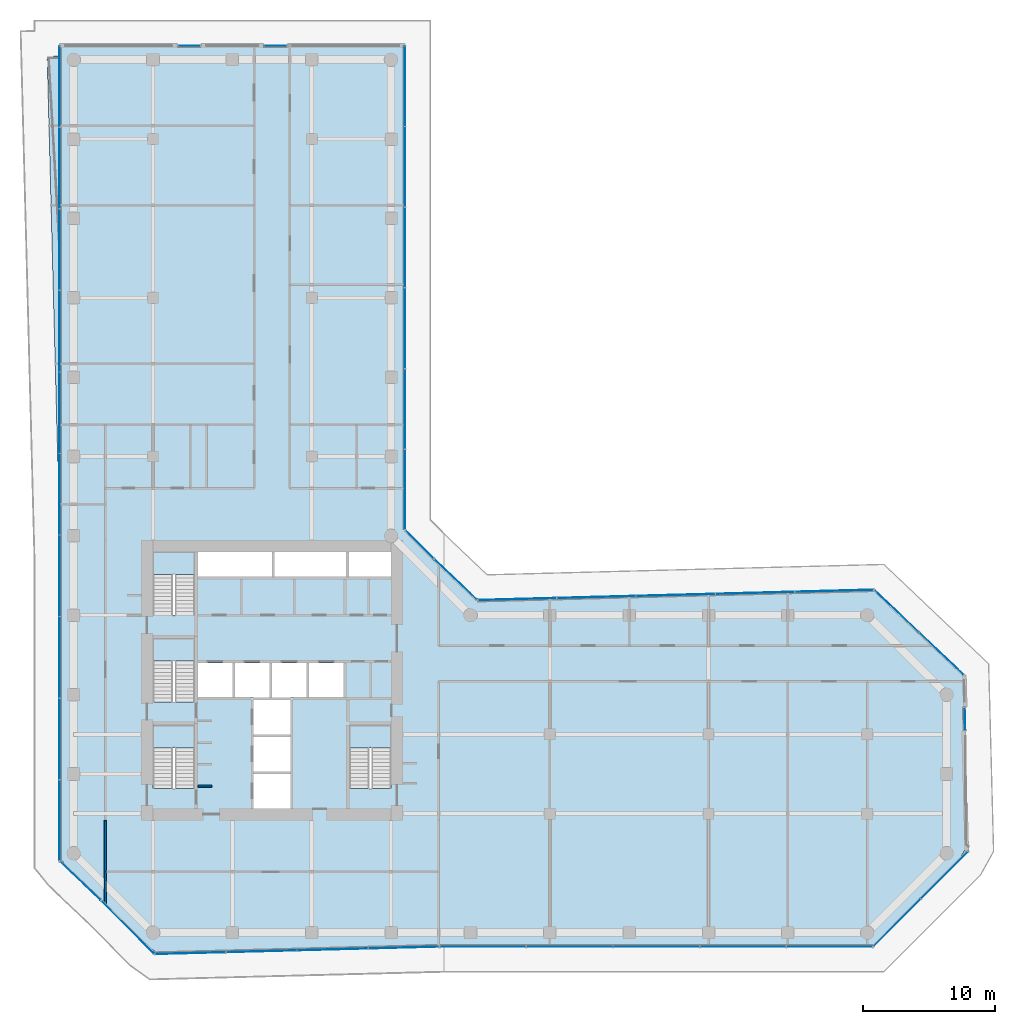
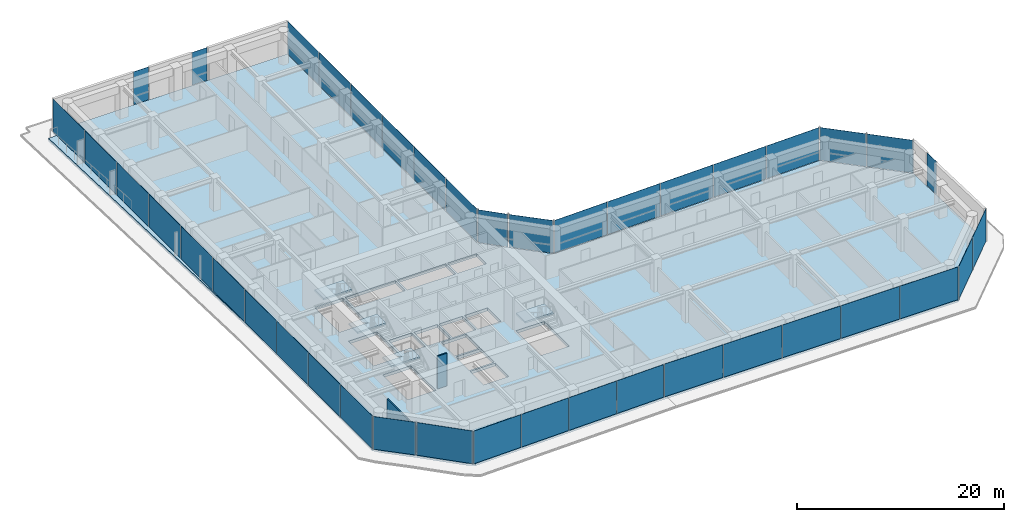
# One storey, part 22 of 29: 41 plates, 5 slabs, 3 walls, 18 elements without a shape of their own.
"""IFC4 building model written with IfcOpenShell, lengths in metres."""

from ifc_helpers import new_model, si_unit, direction, frame, frame_2d, origin, origin_2d, place, context, subcontext, project, spatial, polyline, rectangle, outline, extrude, material, layer, layer_set, type_object, element, aggregate, save


model = new_model("IFC4")

# Units and contexts
model_context = context("Model", 3, precision=1e-05, world=origin(), true_north=direction((0.0, 1.0)))
body_context = subcontext(model_context, "Body", "Model", "MODEL_VIEW")
ifc_project = project(units=[si_unit("LENGTHUNIT", "METRE"), si_unit("AREAUNIT", "SQUARE_METRE"), si_unit("VOLUMEUNIT", "CUBIC_METRE"), si_unit("PLANEANGLEUNIT", "RADIAN"), si_unit("MASSUNIT", "GRAM", prefix="KILO")], contexts=[model_context])

# Site, building, storey
site_placement = place(None, origin())
site = spatial("IfcSite", under=ifc_project, at=site_placement, CompositionType="ELEMENT")
building_placement = place(site_placement, origin())
building = spatial("IfcBuilding", under=site, at=building_placement, Name="Welwitschia Terrace Campus", CompositionType="ELEMENT")
storey_placement = place(building_placement, frame((0.0, 0.0, 58.39990234375)))
storey = spatial("IfcBuildingStorey", under=building, at=storey_placement, Name="L13", CompositionType="ELEMENT", Elevation=58.39990234375)

# Curtain wall, plate
ifc_material_1 = material(Name="Bronze anodised aluminium", Category="aluminium")
ifc_layer_1 = layer(ifc_material_1, 0.1201171875)
ifc_layer_set_1 = layer_set([ifc_layer_1], Name="Bronze anodised aluminium")
curtain_wall_type = type_object("IfcCurtainWallType", Name="Curtain wall CW2 tower 6000", PredefinedType="NOTDEFINED", material=ifc_layer_set_1)
curtain_wall_1_placement = place(storey_placement, origin())
curtain_wall_1 = element("IfcCurtainWall", 1, at=curtain_wall_1_placement, inside=storey, type_object=curtain_wall_type, Name="CW L13.0.0", PredefinedType="NOTDEFINED")
ifc_material_2 = material(Name="Tinted bronze-grey glass", Category="glass")
ifc_layer_2 = layer(ifc_material_2, 0.028076171875)
ifc_layer_set_2 = layer_set([ifc_layer_2], Name="Tinted bronze-grey glass")
plate_type = type_object("IfcPlateType", Name="Glass panel 28 tinted", PredefinedType="CURTAIN_PANEL", material=ifc_layer_set_2)
plate_1_placement = place(storey_placement, frame((0.509765625, -0.086181640625, 0.0), z_axis=(0.0, 0.0, 1.0), x_axis=(0.725374371012, -0.688354575694, 0.0)))
plate_1 = element("IfcPlate", 2, at=plate_1_placement, type_object=plate_type, Name="Panel L13.0.0.0", PredefinedType="CURTAIN_PANEL", context=body_context, shape_type="SweptSolid", body=[
    extrude(rectangle(XDim=4.202880859375, YDim=0.028076171875, at=origin_2d()), origin(), (0.0, 0.0, 1.0), 3.85009765625),
])
aggregate(curtain_wall_1, [plate_1])

curtain_wall_2_placement = place(storey_placement, origin())
curtain_wall_2 = element("IfcCurtainWall", 3, at=curtain_wall_2_placement, inside=storey, type_object=curtain_wall_type, Name="CW L13.1.0", PredefinedType="NOTDEFINED")
plate_2_placement = place(storey_placement, frame((4.1015625, -3.597900390625, 0.0), z_axis=(0.0, 0.0, 1.0), x_axis=(0.707106781187, -0.707106781187, 0.0)))
plate_2 = element("IfcPlate", 4, at=plate_2_placement, type_object=plate_type, Name="Panel L13.1.0.0", PredefinedType="CURTAIN_PANEL", context=body_context, shape_type="SweptSolid", body=[
    extrude(rectangle(XDim=5.6044921875, YDim=0.028076171875, at=origin_2d()), origin(), (0.0, 0.0, 1.0), 3.85009765625),
])
aggregate(curtain_wall_2, [plate_2])

# Curtain wall, plates
curtain_wall_3_placement = place(storey_placement, origin())
curtain_wall_3 = element("IfcCurtainWall", 5, at=curtain_wall_3_placement, inside=storey, type_object=curtain_wall_type, Name="CW L13.2.0", PredefinedType="NOTDEFINED")
plate_3_placement = place(storey_placement, frame((8.831298828125, -5.55078125, 0.0), z_axis=(0.0, 0.0, 1.0), x_axis=(0.999657324976, 0.026176948308, 0.0)))
plate_3 = element("IfcPlate", 6, at=plate_3_placement, type_object=plate_type, Name="Panel L13.2.0.0", PredefinedType="CURTAIN_PANEL", context=body_context, shape_type="SweptSolid", body=[
    extrude(rectangle(XDim=5.293701171875, YDim=0.028076171875, at=origin_2d()), origin(), (0.0, 0.0, 1.0), 3.85009765625),
])
plate_4_placement = place(storey_placement, frame((14.1982421875, -5.410400390625, 0.0), z_axis=(0.0, 0.0, 1.0), x_axis=(0.999657324976, 0.026176948308, 0.0)))
plate_4 = element("IfcPlate", 7, at=plate_4_placement, type_object=plate_type, Name="Panel L13.2.0.1", PredefinedType="CURTAIN_PANEL", context=body_context, shape_type="SweptSolid", body=[
    extrude(rectangle(XDim=5.32373046875, YDim=0.028076171875, at=origin_2d()), origin(), (0.0, 0.0, 1.0), 3.85009765625),
])
plate_5_placement = place(storey_placement, frame((19.579833984375, -5.269287109375, 0.0), z_axis=(0.0, 0.0, 1.0), x_axis=(0.999657324976, 0.026176948308, 0.0)))
plate_5 = element("IfcPlate", 8, at=plate_5_placement, type_object=plate_type, Name="Panel L13.2.0.2", PredefinedType="CURTAIN_PANEL", context=body_context, shape_type="SweptSolid", body=[
    extrude(rectangle(XDim=5.32373046875, YDim=0.028076171875, at=origin_2d()), origin(), (0.0, 0.0, 1.0), 3.85009765625),
])
plate_6_placement = place(storey_placement, frame((24.94677734375, -5.12890625, 0.0), z_axis=(0.0, 0.0, 1.0), x_axis=(0.999657324976, 0.026176948308, 0.0)))
plate_6 = element("IfcPlate", 9, at=plate_6_placement, type_object=plate_type, Name="Panel L13.2.0.3", PredefinedType="CURTAIN_PANEL", context=body_context, shape_type="SweptSolid", body=[
    extrude(rectangle(XDim=5.293701171875, YDim=0.028076171875, at=origin_2d()), origin(), (0.0, 0.0, 1.0), 3.85009765625),
])
aggregate(curtain_wall_3, [plate_3, plate_4, plate_5, plate_6])

curtain_wall_4_placement = place(storey_placement, origin())
curtain_wall_4 = element("IfcCurtainWall", 10, at=curtain_wall_4_placement, inside=storey, type_object=curtain_wall_type, Name="CW L13.3.0", PredefinedType="NOTDEFINED")
plate_7_placement = place(storey_placement, frame((30.9462890625, -5.05810546875, 0.0), z_axis=(0.0, 0.0, 1.0), x_axis=(1.0, 0.0, 0.0)))
plate_7 = element("IfcPlate", 11, at=plate_7_placement, type_object=plate_type, Name="Panel L13.3.0.0", PredefinedType="CURTAIN_PANEL", context=body_context, shape_type="SweptSolid", body=[
    extrude(rectangle(XDim=6.467041015625, YDim=0.028076171875, at=origin_2d()), origin(), (0.0, 0.0, 1.0), 3.85009765625),
])
plate_8_placement = place(storey_placement, frame((37.48828125, -5.05810546875, 0.0), z_axis=(0.0, 0.0, 1.0), x_axis=(1.0, 0.0, 0.0)))
plate_8 = element("IfcPlate", 12, at=plate_8_placement, type_object=plate_type, Name="Panel L13.3.0.1", PredefinedType="CURTAIN_PANEL", context=body_context, shape_type="SweptSolid", body=[
    extrude(rectangle(XDim=6.4970703125, YDim=0.028076171875, at=origin_2d()), origin(), (0.0, 0.0, 1.0), 3.85009765625),
])
plate_9_placement = place(storey_placement, frame((44.04541015625, -5.05810546875, 0.0), z_axis=(0.0, 0.0, 1.0), x_axis=(1.0, 0.0, 0.0)))
plate_9 = element("IfcPlate", 13, at=plate_9_placement, type_object=plate_type, Name="Panel L13.3.0.2", PredefinedType="CURTAIN_PANEL", context=body_context, shape_type="SweptSolid", body=[
    extrude(rectangle(XDim=6.4970703125, YDim=0.028076171875, at=origin_2d()), origin(), (0.0, 0.0, 1.0), 3.85009765625),
])
plate_10_placement = place(storey_placement, frame((50.6025390625, -5.05810546875, 0.0), z_axis=(0.0, 0.0, 1.0), x_axis=(1.0, 0.0, 0.0)))
plate_10 = element("IfcPlate", 14, at=plate_10_placement, type_object=plate_type, Name="Panel L13.3.0.3", PredefinedType="CURTAIN_PANEL", context=body_context, shape_type="SweptSolid", body=[
    extrude(rectangle(XDim=6.4970703125, YDim=0.028076171875, at=origin_2d()), origin(), (0.0, 0.0, 1.0), 3.85009765625),
])
plate_11_placement = place(storey_placement, frame((57.144775390625, -5.05810546875, 0.0), z_axis=(0.0, 0.0, 1.0), x_axis=(1.0, 0.0, 0.0)))
plate_11 = element("IfcPlate", 15, at=plate_11_placement, type_object=plate_type, Name="Panel L13.3.0.4", PredefinedType="CURTAIN_PANEL", context=body_context, shape_type="SweptSolid", body=[
    extrude(rectangle(XDim=6.467041015625, YDim=0.028076171875, at=origin_2d()), origin(), (0.0, 0.0, 1.0), 3.85009765625),
])
aggregate(curtain_wall_4, [plate_7, plate_8, plate_9, plate_10, plate_11])

curtain_wall_5_placement = place(storey_placement, origin())
curtain_wall_5 = element("IfcCurtainWall", 16, at=curtain_wall_5_placement, inside=storey, type_object=curtain_wall_type, Name="CW L13.4.0", PredefinedType="NOTDEFINED")
plate_12_placement = place(storey_placement, frame((62.251953125, -3.244140625, 0.0), z_axis=(0.0, 0.0, 1.0), x_axis=(0.707106781187, 0.707106781187, 0.0)))
plate_12 = element("IfcPlate", 17, at=plate_12_placement, type_object=plate_type, Name="Panel L13.4.0.0", PredefinedType="CURTAIN_PANEL", context=body_context, shape_type="SweptSolid", body=[
    extrude(rectangle(XDim=5.01025390625, YDim=0.028076171875, at=origin_2d()), origin(), (0.0, 0.0, 1.0), 3.85009765625),
])
plate_13_placement = place(storey_placement, frame((65.83740234375, 0.341064453125, 0.0), z_axis=(0.0, 0.0, 1.0), x_axis=(0.707106781187, 0.707106781187, 0.0)))
plate_13 = element("IfcPlate", 18, at=plate_13_placement, type_object=plate_type, Name="Panel L13.4.0.1", PredefinedType="CURTAIN_PANEL", context=body_context, shape_type="SweptSolid", body=[
    extrude(rectangle(XDim=5.01025390625, YDim=0.028076171875, at=origin_2d()), origin(), (0.0, 0.0, 1.0), 3.85009765625),
])
aggregate(curtain_wall_5, [plate_12, plate_13])

# Curtain wall, plate
curtain_wall_6_placement = place(storey_placement, origin())
curtain_wall_6 = element("IfcCurtainWall", 19, at=curtain_wall_6_placement, inside=storey, type_object=curtain_wall_type, Name="CW L13.5.S0", PredefinedType="NOTDEFINED")
plate_14_placement = place(storey_placement, frame((67.389404296875, 12.151123046875, 0.0), z_axis=(0.0, 0.0, 1.0), x_axis=(-0.026176948308, 0.999657324976, 0.0)))
plate_14 = element("IfcPlate", 20, at=plate_14_placement, type_object=plate_type, Name="Panel L13.5.S0.0", PredefinedType="CURTAIN_PANEL", context=body_context, shape_type="SweptSolid", body=[
    extrude(rectangle(XDim=1.679931640625, YDim=0.028076171875, at=origin_2d()), origin(), (0.0, 0.0, 1.0), 3.85009765625),
])
aggregate(curtain_wall_6, [plate_14])

# Curtain wall, plates
curtain_wall_7_placement = place(storey_placement, origin())
curtain_wall_7 = element("IfcCurtainWall", 21, at=curtain_wall_7_placement, inside=storey, type_object=curtain_wall_type, Name="CW L13.6.0", PredefinedType="NOTDEFINED")
plate_15_placement = place(storey_placement, frame((65.593505859375, 17.1044921875, 0.0), z_axis=(0.0, 0.0, 1.0), x_axis=(-0.725374371012, 0.688354575694, 0.0)))
plate_15 = element("IfcPlate", 22, at=plate_15_placement, type_object=plate_type, Name="Panel L13.6.0.0", PredefinedType="CURTAIN_PANEL", context=body_context, shape_type="SweptSolid", body=[
    extrude(rectangle(XDim=4.5908203125, YDim=0.028076171875, at=origin_2d()), origin(), (0.0, 0.0, 1.0), 3.85009765625),
])
plate_16_placement = place(storey_placement, frame((62.219970703125, 20.305908203125, 0.0), z_axis=(0.0, 0.0, 1.0), x_axis=(-0.725374371012, 0.688354575694, 0.0)))
plate_16 = element("IfcPlate", 23, at=plate_16_placement, type_object=plate_type, Name="Panel L13.6.0.1", PredefinedType="CURTAIN_PANEL", context=body_context, shape_type="SweptSolid", body=[
    extrude(rectangle(XDim=4.5908203125, YDim=0.028076171875, at=origin_2d()), origin(), (0.0, 0.0, 1.0), 3.85009765625),
])
aggregate(curtain_wall_7, [plate_15, plate_16])

curtain_wall_8_placement = place(storey_placement, origin())
curtain_wall_8 = element("IfcCurtainWall", 24, at=curtain_wall_8_placement, inside=storey, type_object=curtain_wall_type, Name="CW L13.7.0", PredefinedType="NOTDEFINED")
plate_17_placement = place(storey_placement, frame((57.497314453125, 21.848388671875, 0.0), z_axis=(0.0, 0.0, 1.0), x_axis=(-0.999657324976, -0.026176948308, 0.0)))
plate_17 = element("IfcPlate", 25, at=plate_17_placement, type_object=plate_type, Name="Panel L13.7.0.0", PredefinedType="CURTAIN_PANEL", context=body_context, shape_type="SweptSolid", body=[
    extrude(rectangle(XDim=5.909912109375, YDim=0.028076171875, at=origin_2d()), origin(), (0.0, 0.0, 1.0), 3.85009765625),
])
plate_18_placement = place(storey_placement, frame((51.514404296875, 21.69189453125, 0.0), z_axis=(0.0, 0.0, 1.0), x_axis=(-0.999657324976, -0.026176948308, 0.0)))
plate_18 = element("IfcPlate", 26, at=plate_18_placement, type_object=plate_type, Name="Panel L13.7.0.1", PredefinedType="CURTAIN_PANEL", context=body_context, shape_type="SweptSolid", body=[
    extrude(rectangle(XDim=5.93994140625, YDim=0.028076171875, at=origin_2d()), origin(), (0.0, 0.0, 1.0), 3.85009765625),
])
plate_19_placement = place(storey_placement, frame((45.5166015625, 21.53466796875, 0.0), z_axis=(0.0, 0.0, 1.0), x_axis=(-0.999657324976, -0.026176948308, 0.0)))
plate_19 = element("IfcPlate", 27, at=plate_19_placement, type_object=plate_type, Name="Panel L13.7.0.2", PredefinedType="CURTAIN_PANEL", context=body_context, shape_type="SweptSolid", body=[
    extrude(rectangle(XDim=5.93994140625, YDim=0.028076171875, at=origin_2d()), origin(), (0.0, 0.0, 1.0), 3.85009765625),
])
plate_20_placement = place(storey_placement, frame((39.5185546875, 21.377685546875, 0.0), z_axis=(0.0, 0.0, 1.0), x_axis=(-0.999657324976, -0.026176948308, 0.0)))
plate_20 = element("IfcPlate", 28, at=plate_20_placement, type_object=plate_type, Name="Panel L13.7.0.3", PredefinedType="CURTAIN_PANEL", context=body_context, shape_type="SweptSolid", body=[
    extrude(rectangle(XDim=5.93994140625, YDim=0.028076171875, at=origin_2d()), origin(), (0.0, 0.0, 1.0), 3.85009765625),
])
plate_21_placement = place(storey_placement, frame((33.53564453125, 21.220947265625, 0.0), z_axis=(0.0, 0.0, 1.0), x_axis=(-0.999657324976, -0.026176948308, 0.0)))
plate_21 = element("IfcPlate", 29, at=plate_21_placement, type_object=plate_type, Name="Panel L13.7.0.4", PredefinedType="CURTAIN_PANEL", context=body_context, shape_type="SweptSolid", body=[
    extrude(rectangle(XDim=5.909912109375, YDim=0.028076171875, at=origin_2d()), origin(), (0.0, 0.0, 1.0), 3.85009765625),
])
aggregate(curtain_wall_8, [plate_17, plate_18, plate_19, plate_20, plate_21])

# Curtain wall, plate
curtain_wall_9_placement = place(storey_placement, origin())
curtain_wall_9 = element("IfcCurtainWall", 30, at=curtain_wall_9_placement, inside=storey, type_object=curtain_wall_type, Name="CW L13.8.0", PredefinedType="NOTDEFINED")
plate_22_placement = place(storey_placement, frame((28.880859375, 22.698974609375, 0.0), z_axis=(0.0, 0.0, 1.0), x_axis=(-0.725374371012, 0.688354575694, 0.0)))
plate_22 = element("IfcPlate", 31, at=plate_22_placement, type_object=plate_type, Name="Panel L13.8.0.0", PredefinedType="CURTAIN_PANEL", context=body_context, shape_type="SweptSolid", body=[
    extrude(rectangle(XDim=4.40380859375, YDim=0.028076171875, at=origin_2d()), origin(), (0.0, 0.0, 1.0), 3.85009765625),
])
aggregate(curtain_wall_9, [plate_22])

curtain_wall_10_placement = place(storey_placement, origin())
curtain_wall_10 = element("IfcCurtainWall", 32, at=curtain_wall_10_placement, inside=storey, type_object=curtain_wall_type, Name="CW L13.9.0", PredefinedType="NOTDEFINED")
plate_23_placement = place(storey_placement, frame((26.149169921875, 25.34716796875, 0.0), z_axis=(0.0, 0.0, 1.0), x_axis=(-0.707106781187, 0.707106781187, 0.0)))
plate_23 = element("IfcPlate", 33, at=plate_23_placement, type_object=plate_type, Name="Panel L13.9.0.0", PredefinedType="CURTAIN_PANEL", context=body_context, shape_type="SweptSolid", body=[
    extrude(rectangle(XDim=2.966064453125, YDim=0.028076171875, at=origin_2d()), origin(), (0.0, 0.0, 1.0), 3.85009765625),
])
aggregate(curtain_wall_10, [plate_23])

# Curtain wall, plates
curtain_wall_11_placement = place(storey_placement, origin())
curtain_wall_11 = element("IfcCurtainWall", 34, at=curtain_wall_11_placement, inside=storey, type_object=curtain_wall_type, Name="CW L13.10.0", PredefinedType="NOTDEFINED")
plate_24_placement = place(storey_placement, frame((25.05810546875, 29.5048828125, 0.0), z_axis=(0.0, 0.0, 1.0), x_axis=(0.0, 1.0, 0.0)))
plate_24 = element("IfcPlate", 35, at=plate_24_placement, type_object=plate_type, Name="Panel L13.10.0.0", PredefinedType="CURTAIN_PANEL", context=body_context, shape_type="SweptSolid", body=[
    extrude(rectangle(XDim=6.01318359375, YDim=0.028076171875, at=origin_2d()), origin(), (0.0, 0.0, 1.0), 3.85009765625),
])
plate_25_placement = place(storey_placement, frame((25.05810546875, 35.59326171875, 0.0), z_axis=(0.0, 0.0, 1.0), x_axis=(0.0, 1.0, 0.0)))
plate_25 = element("IfcPlate", 36, at=plate_25_placement, type_object=plate_type, Name="Panel L13.10.0.1", PredefinedType="CURTAIN_PANEL", context=body_context, shape_type="SweptSolid", body=[
    extrude(rectangle(XDim=6.043212890625, YDim=0.028076171875, at=origin_2d()), origin(), (0.0, 0.0, 1.0), 3.85009765625),
])
plate_26_placement = place(storey_placement, frame((25.05810546875, 41.696533203125, 0.0), z_axis=(0.0, 0.0, 1.0), x_axis=(0.0, 1.0, 0.0)))
plate_26 = element("IfcPlate", 37, at=plate_26_placement, type_object=plate_type, Name="Panel L13.10.0.2", PredefinedType="CURTAIN_PANEL", context=body_context, shape_type="SweptSolid", body=[
    extrude(rectangle(XDim=6.043212890625, YDim=0.028076171875, at=origin_2d()), origin(), (0.0, 0.0, 1.0), 3.85009765625),
])
plate_27_placement = place(storey_placement, frame((25.05810546875, 47.7998046875, 0.0), z_axis=(0.0, 0.0, 1.0), x_axis=(0.0, 1.0, 0.0)))
plate_27 = element("IfcPlate", 38, at=plate_27_placement, type_object=plate_type, Name="Panel L13.10.0.3", PredefinedType="CURTAIN_PANEL", context=body_context, shape_type="SweptSolid", body=[
    extrude(rectangle(XDim=6.043212890625, YDim=0.028076171875, at=origin_2d()), origin(), (0.0, 0.0, 1.0), 3.85009765625),
])
plate_28_placement = place(storey_placement, frame((25.05810546875, 53.903076171875, 0.0), z_axis=(0.0, 0.0, 1.0), x_axis=(0.0, 1.0, 0.0)))
plate_28 = element("IfcPlate", 39, at=plate_28_placement, type_object=plate_type, Name="Panel L13.10.0.4", PredefinedType="CURTAIN_PANEL", context=body_context, shape_type="SweptSolid", body=[
    extrude(rectangle(XDim=6.043212890625, YDim=0.028076171875, at=origin_2d()), origin(), (0.0, 0.0, 1.0), 3.85009765625),
])
plate_29_placement = place(storey_placement, frame((25.05810546875, 59.991455078125, 0.0), z_axis=(0.0, 0.0, 1.0), x_axis=(0.0, 1.0, 0.0)))
plate_29 = element("IfcPlate", 40, at=plate_29_placement, type_object=plate_type, Name="Panel L13.10.0.5", PredefinedType="CURTAIN_PANEL", context=body_context, shape_type="SweptSolid", body=[
    extrude(rectangle(XDim=6.01318359375, YDim=0.028076171875, at=origin_2d()), origin(), (0.0, 0.0, 1.0), 3.85009765625),
])
aggregate(curtain_wall_11, [plate_24, plate_25, plate_26, plate_27, plate_28, plate_29])

# Curtain wall, plate
curtain_wall_12_placement = place(storey_placement, origin())
curtain_wall_12 = element("IfcCurtainWall", 41, at=curtain_wall_12_placement, inside=storey, type_object=curtain_wall_type, Name="CW L13.11.S0", PredefinedType="NOTDEFINED")
plate_30_placement = place(storey_placement, frame((15.264404296875, 63.05810546875, 0.0), z_axis=(0.0, 0.0, 1.0), x_axis=(-1.0, 0.0, 0.0)))
plate_30 = element("IfcPlate", 42, at=plate_30_placement, type_object=plate_type, Name="Panel L13.11.S0.0", PredefinedType="CURTAIN_PANEL", context=body_context, shape_type="SweptSolid", body=[
    extrude(rectangle(XDim=1.679931640625, YDim=0.028076171875, at=origin_2d()), origin(), (0.0, 0.0, 1.0), 3.85009765625),
])
aggregate(curtain_wall_12, [plate_30])

curtain_wall_13_placement = place(storey_placement, origin())
curtain_wall_13 = element("IfcCurtainWall", 43, at=curtain_wall_13_placement, inside=storey, type_object=curtain_wall_type, Name="CW L13.11.S1", PredefinedType="NOTDEFINED")
plate_31_placement = place(storey_placement, frame((8.735595703125, 63.05810546875, 0.0), z_axis=(0.0, 0.0, 1.0), x_axis=(-1.0, 0.0, 0.0)))
plate_31 = element("IfcPlate", 44, at=plate_31_placement, type_object=plate_type, Name="Panel L13.11.S1.0", PredefinedType="CURTAIN_PANEL", context=body_context, shape_type="SweptSolid", body=[
    extrude(rectangle(XDim=1.679931640625, YDim=0.028076171875, at=origin_2d()), origin(), (0.0, 0.0, 1.0), 3.85009765625),
])
aggregate(curtain_wall_13, [plate_31])

# Curtain wall, plates
curtain_wall_14_placement = place(storey_placement, origin())
curtain_wall_14 = element("IfcCurtainWall", 45, at=curtain_wall_14_placement, inside=storey, type_object=curtain_wall_type, Name="CW L13.12.0", PredefinedType="NOTDEFINED")
plate_32_placement = place(storey_placement, frame((-1.05810546875, 59.960205078125, 0.0), z_axis=(0.0, 0.0, 1.0), x_axis=(0.0, -1.0, 0.0)))
plate_32 = element("IfcPlate", 46, at=plate_32_placement, type_object=plate_type, Name="Panel L13.12.0.0", PredefinedType="CURTAIN_PANEL", context=body_context, shape_type="SweptSolid", body=[
    extrude(rectangle(XDim=6.07568359375, YDim=0.028076171875, at=origin_2d()), origin(), (0.0, 0.0, 1.0), 3.85009765625),
])
plate_33_placement = place(storey_placement, frame((-1.05810546875, 53.8095703125, 0.0), z_axis=(0.0, 0.0, 1.0), x_axis=(0.0, -1.0, 0.0)))
plate_33 = element("IfcPlate", 47, at=plate_33_placement, type_object=plate_type, Name="Panel L13.12.0.1", PredefinedType="CURTAIN_PANEL", context=body_context, shape_type="SweptSolid", body=[
    extrude(rectangle(XDim=6.105712890625, YDim=0.028076171875, at=origin_2d()), origin(), (0.0, 0.0, 1.0), 3.85009765625),
])
plate_34_placement = place(storey_placement, frame((-1.05810546875, 47.64404296875, 0.0), z_axis=(0.0, 0.0, 1.0), x_axis=(0.0, -1.0, 0.0)))
plate_34 = element("IfcPlate", 48, at=plate_34_placement, type_object=plate_type, Name="Panel L13.12.0.2", PredefinedType="CURTAIN_PANEL", context=body_context, shape_type="SweptSolid", body=[
    extrude(rectangle(XDim=6.105712890625, YDim=0.028076171875, at=origin_2d()), origin(), (0.0, 0.0, 1.0), 3.85009765625),
])
plate_35_placement = place(storey_placement, frame((-1.05810546875, 41.478271484375, 0.0), z_axis=(0.0, 0.0, 1.0), x_axis=(0.0, -1.0, 0.0)))
plate_35 = element("IfcPlate", 49, at=plate_35_placement, type_object=plate_type, Name="Panel L13.12.0.3", PredefinedType="CURTAIN_PANEL", context=body_context, shape_type="SweptSolid", body=[
    extrude(rectangle(XDim=6.105712890625, YDim=0.028076171875, at=origin_2d()), origin(), (0.0, 0.0, 1.0), 3.85009765625),
])
plate_36_placement = place(storey_placement, frame((-1.05810546875, 35.312744140625, 0.0), z_axis=(0.0, 0.0, 1.0), x_axis=(0.0, -1.0, 0.0)))
plate_36 = element("IfcPlate", 50, at=plate_36_placement, type_object=plate_type, Name="Panel L13.12.0.4", PredefinedType="CURTAIN_PANEL", context=body_context, shape_type="SweptSolid", body=[
    extrude(rectangle(XDim=6.105712890625, YDim=0.028076171875, at=origin_2d()), origin(), (0.0, 0.0, 1.0), 3.85009765625),
])
plate_37_placement = place(storey_placement, frame((-1.05810546875, 29.14697265625, 0.0), z_axis=(0.0, 0.0, 1.0), x_axis=(0.0, -1.0, 0.0)))
plate_37 = element("IfcPlate", 51, at=plate_37_placement, type_object=plate_type, Name="Panel L13.12.0.5", PredefinedType="CURTAIN_PANEL", context=body_context, shape_type="SweptSolid", body=[
    extrude(rectangle(XDim=6.105712890625, YDim=0.028076171875, at=origin_2d()), origin(), (0.0, 0.0, 1.0), 3.85009765625),
])
plate_38_placement = place(storey_placement, frame((-1.05810546875, 22.9814453125, 0.0), z_axis=(0.0, 0.0, 1.0), x_axis=(0.0, -1.0, 0.0)))
plate_38 = element("IfcPlate", 52, at=plate_38_placement, type_object=plate_type, Name="Panel L13.12.0.6", PredefinedType="CURTAIN_PANEL", context=body_context, shape_type="SweptSolid", body=[
    extrude(rectangle(XDim=6.105712890625, YDim=0.028076171875, at=origin_2d()), origin(), (0.0, 0.0, 1.0), 3.85009765625),
])
plate_39_placement = place(storey_placement, frame((-1.05810546875, 16.81591796875, 0.0), z_axis=(0.0, 0.0, 1.0), x_axis=(0.0, -1.0, 0.0)))
plate_39 = element("IfcPlate", 53, at=plate_39_placement, type_object=plate_type, Name="Panel L13.12.0.7", PredefinedType="CURTAIN_PANEL", context=body_context, shape_type="SweptSolid", body=[
    extrude(rectangle(XDim=6.105712890625, YDim=0.028076171875, at=origin_2d()), origin(), (0.0, 0.0, 1.0), 3.85009765625),
])
plate_40_placement = place(storey_placement, frame((-1.05810546875, 10.650146484375, 0.0), z_axis=(0.0, 0.0, 1.0), x_axis=(0.0, -1.0, 0.0)))
plate_40 = element("IfcPlate", 54, at=plate_40_placement, type_object=plate_type, Name="Panel L13.12.0.8", PredefinedType="CURTAIN_PANEL", context=body_context, shape_type="SweptSolid", body=[
    extrude(rectangle(XDim=6.105712890625, YDim=0.028076171875, at=origin_2d()), origin(), (0.0, 0.0, 1.0), 3.85009765625),
])
plate_41_placement = place(storey_placement, frame((-1.05810546875, 4.49951171875, 0.0), z_axis=(0.0, 0.0, 1.0), x_axis=(0.0, -1.0, 0.0)))
plate_41 = element("IfcPlate", 55, at=plate_41_placement, type_object=plate_type, Name="Panel L13.12.0.9", PredefinedType="CURTAIN_PANEL", context=body_context, shape_type="SweptSolid", body=[
    extrude(rectangle(XDim=6.07568359375, YDim=0.028076171875, at=origin_2d()), origin(), (0.0, 0.0, 1.0), 3.85009765625),
])
aggregate(curtain_wall_14, [plate_32, plate_33, plate_34, plate_35, plate_36, plate_37, plate_38, plate_39, plate_40, plate_41])

# Stair, slab
ifc_material_3 = material(Name="Concrete C40/50", Category="concrete")
stair_type = type_object("IfcStairType", Name="Stair 24R 175 W1500", PredefinedType="HALF_TURN_STAIR", material=ifc_material_3)
stair_1_placement = place(storey_placement, origin())
stair_1 = element("IfcStair", 56, at=stair_1_placement, inside=storey, type_object=stair_type, Name="L13 Exit stair S1", PredefinedType="HALF_TURN_STAIR")
ifc_material_4 = material(Name="Concrete C40/50", Category="concrete")
ifc_layer_3 = layer(ifc_material_4, 0.199951171875)
ifc_layer_set_3 = layer_set([ifc_layer_3], Name="Concrete C40/50")
slab_type_1 = type_object("IfcSlabType", Name="Stair landing RC", PredefinedType="LANDING", material=ifc_layer_set_3)
slab_1_placement = place(storey_placement, frame((0.0, 0.0, 1.900146484375)))
slab_1 = element("IfcSlab", 57, at=slab_1_placement, type_object=slab_type_1, Name="S1 landing 1", PredefinedType="LANDING", context=body_context, shape_type="SweptSolid", body=[
    extrude(outline(polyline([(9.14990234375, 9.97998046875), (9.14990234375, 11.699951171875), (6.0, 11.699951171875), (6.0, 9.97998046875), (9.14990234375, 9.97998046875)])), origin(), (0.0, 0.0, 1.0), 0.199951171875),
])
aggregate(stair_1, [slab_1])

stair_2_placement = place(storey_placement, origin())
stair_2 = element("IfcStair", 58, at=stair_2_placement, inside=storey, type_object=stair_type, Name="L13 Exit stair S3", PredefinedType="HALF_TURN_STAIR")
slab_2_placement = place(storey_placement, frame((0.0, 0.0, 1.900146484375)))
slab_2 = element("IfcSlab", 59, at=slab_2_placement, type_object=slab_type_1, Name="S3 landing 1", PredefinedType="LANDING", context=body_context, shape_type="SweptSolid", body=[
    extrude(outline(polyline([(9.14990234375, 16.530029296875), (9.14990234375, 18.25), (6.0, 18.25), (6.0, 16.530029296875), (9.14990234375, 16.530029296875)])), origin(), (0.0, 0.0, 1.0), 0.199951171875),
])
aggregate(stair_2, [slab_2])

stair_3_placement = place(storey_placement, origin())
stair_3 = element("IfcStair", 60, at=stair_3_placement, inside=storey, type_object=stair_type, Name="L13 Exit stair S4", PredefinedType="HALF_TURN_STAIR")
slab_3_placement = place(storey_placement, frame((0.0, 0.0, 1.900146484375)))
slab_3 = element("IfcSlab", 61, at=slab_3_placement, type_object=slab_type_1, Name="S4 landing 1", PredefinedType="LANDING", context=body_context, shape_type="SweptSolid", body=[
    extrude(outline(polyline([(9.14990234375, 23.080078125), (9.14990234375, 24.800048828125), (6.0, 24.800048828125), (6.0, 23.080078125), (9.14990234375, 23.080078125)])), origin(), (0.0, 0.0, 1.0), 0.199951171875),
])
aggregate(stair_3, [slab_3])

stair_4_placement = place(storey_placement, origin())
stair_4 = element("IfcStair", 62, at=stair_4_placement, inside=storey, type_object=stair_type, Name="L13 Exit stair S2", PredefinedType="HALF_TURN_STAIR")
slab_4_placement = place(storey_placement, frame((0.0, 0.0, 1.900146484375)))
slab_4 = element("IfcSlab", 63, at=slab_4_placement, type_object=slab_type_1, Name="S2 landing 1", PredefinedType="LANDING", context=body_context, shape_type="SweptSolid", body=[
    extrude(outline(polyline([(24.0, 9.97998046875), (24.0, 11.699951171875), (20.85009765625, 11.699951171875), (20.85009765625, 9.97998046875), (24.0, 9.97998046875)])), origin(), (0.0, 0.0, 1.0), 0.199951171875),
])
aggregate(stair_4, [slab_4])

# Slab
ifc_material_5 = material(Name="Concrete C40/50", Category="concrete")
ifc_layer_4 = layer(ifc_material_5, 0.35009765625)
ifc_layer_set_4 = layer_set([ifc_layer_4], Name="Concrete C40/50")
slab_type_2 = type_object("IfcSlabType", Name="Suspended floor slab 350", PredefinedType="FLOOR", material=ifc_layer_set_4)
slab_5_placement = place(storey_placement, frame((0.0, 0.0, -0.349853515625)))
element("IfcSlab", 64, at=slab_5_placement, inside=storey, type_object=slab_type_2, Name="Floor slab L13", PredefinedType="FLOOR", context=body_context, shape_type="SweptSolid", body=[
    extrude(outline(polyline([(-1.0, 23.9150390625), (-2.003662109375, 62.246826171875), (-1.0, 62.27294921875), (-1.0, 63.0), (25.0, 63.0), (25.0, 26.414306640625), (27.19970703125, 24.214599609375), (30.4990234375, 21.08349609375), (60.48876953125, 21.868896484375), (67.244873046875, 15.457763671875), (67.58056640625, 2.633544921875), (67.0, 1.585693359375), (60.414306640625, -5.0), (27.65185546875, -5.0), (6.35986328125, -5.5576171875), (5.585693359375, -5.0), (2.1181640625, -1.532470703125), (-0.39599609375, 0.853515625), (-1.0, 1.585693359375), (-1.0, 23.9150390625)]), holes=[polyline([(13.60009765625, 8.0), (13.60009765625, 5.39990234375), (16.39990234375, 5.39990234375), (16.39990234375, 8.0), (13.60009765625, 8.0)]), polyline([(9.14990234375, 11.699951171875), (6.0, 11.699951171875), (6.0, 6.902099609375), (9.14990234375, 6.902099609375), (9.14990234375, 11.699951171875)]), polyline([(12.0, 16.39990234375), (9.39990234375, 16.39990234375), (9.39990234375, 13.800048828125), (12.0, 13.800048828125), (12.0, 16.39990234375)]), polyline([(14.800048828125, 16.39990234375), (12.199951171875, 16.39990234375), (12.199951171875, 13.800048828125), (14.800048828125, 13.800048828125), (14.800048828125, 16.39990234375)]), polyline([(9.14990234375, 18.25), (6.0, 18.25), (6.0, 13.451904296875), (9.14990234375, 13.451904296875), (9.14990234375, 18.25)]), polyline([(9.14990234375, 24.800048828125), (6.0, 24.800048828125), (6.0, 20.001953125), (9.14990234375, 20.001953125), (9.14990234375, 24.800048828125)]), polyline([(15.0, 24.800048828125), (9.39990234375, 24.800048828125), (9.39990234375, 22.89990234375), (15.0, 22.89990234375), (15.0, 24.800048828125)]), polyline([(20.85009765625, 11.699951171875), (20.85009765625, 6.902099609375), (24.0, 6.902099609375), (24.0, 11.699951171875), (20.85009765625, 11.699951171875)]), polyline([(16.39990234375, 10.800048828125), (13.60009765625, 10.800048828125), (13.60009765625, 8.199951171875), (16.39990234375, 8.199951171875), (16.39990234375, 10.800048828125)]), polyline([(16.39990234375, 13.60009765625), (13.60009765625, 13.60009765625), (13.60009765625, 11.0), (16.39990234375, 11.0), (16.39990234375, 13.60009765625)]), polyline([(17.60009765625, 16.39990234375), (15.0, 16.39990234375), (15.0, 13.800048828125), (17.60009765625, 13.800048828125), (17.60009765625, 16.39990234375)]), polyline([(20.39990234375, 16.39990234375), (17.800048828125, 16.39990234375), (17.800048828125, 13.800048828125), (20.39990234375, 13.800048828125), (20.39990234375, 16.39990234375)]), polyline([(20.60009765625, 24.800048828125), (15.199951171875, 24.800048828125), (15.199951171875, 22.89990234375), (20.60009765625, 22.89990234375), (20.60009765625, 24.800048828125)]), polyline([(24.0, 24.800048828125), (20.800048828125, 24.800048828125), (20.800048828125, 22.89990234375), (24.0, 22.89990234375), (24.0, 24.800048828125)])]), origin(), (0.0, 0.0, 1.0), 0.349853515625),
])

# Walls
ifc_material_6 = material(Name="Concrete C50/60", Category="concrete")
ifc_layer_5 = layer(ifc_material_6, 0.14990234375)
ifc_layer_set_5 = layer_set([ifc_layer_5], Name="Concrete C50/60")
wall_type_1 = type_object("IfcWallType", Name="Core wall 150 Concrete C50/60", PredefinedType="SHEAR", material=ifc_layer_set_5)
wall_1_placement = place(storey_placement, frame((9.39990234375, 7.074951171875, 0.0), z_axis=(0.0, 0.0, 1.0), x_axis=(1.0, 0.0, 0.0)))
element("IfcWall", 65, at=wall_1_placement, inside=storey, type_object=wall_type_1, Name="Core wall", PredefinedType="SHEAR", context=body_context, shape_type="SweptSolid", body=[
    extrude(rectangle(XDim=1.050048828125, YDim=0.14990234375, at=frame_2d((0.52490234375, 0.0))), origin(), (0.0, 0.0, 1.0), 3.85009765625),
])
ifc_material_7 = material(Name="Gypsum board on steel studs", Category="steel")
ifc_layer_6 = layer(ifc_material_7, 0.14990234375)
ifc_layer_set_6 = layer_set([ifc_layer_6], Name="Gypsum board on steel studs")
wall_type_2 = type_object("IfcWallType", Name="Corridor partition 150 EI 30", PredefinedType="PARTITIONING", material=ifc_layer_set_6)
wall_2_placement = place(storey_placement, frame((2.39990234375, -1.81005859375, 0.0), z_axis=(0.0, 0.0, 1.0), x_axis=(0.0, 1.0, 0.0)))
element("IfcWall", 66, at=wall_2_placement, inside=storey, type_object=wall_type_2, Name="Partition", PredefinedType="PARTITIONING", context=body_context, shape_type="SweptSolid", body=[
    extrude(rectangle(XDim=2.41015625, YDim=0.14990234375, at=frame_2d((1.205078125, 0.0))), origin(), (0.0, 0.0, 1.0), 2.830078125),
])
wall_3_placement = place(storey_placement, frame((2.39990234375, 0.60009765625, 0.0), z_axis=(0.0, 0.0, 1.0), x_axis=(0.0, 1.0, 0.0)))
element("IfcWall", 67, at=wall_3_placement, inside=storey, type_object=wall_type_2, Name="Partition", PredefinedType="PARTITIONING", context=body_context, shape_type="SweptSolid", body=[
    extrude(rectangle(XDim=3.89990234375, YDim=0.14990234375, at=frame_2d((1.949951171875, 0.0))), origin(), (0.0, 0.0, 1.0), 2.830078125),
])

save(model, "model.ifc")
